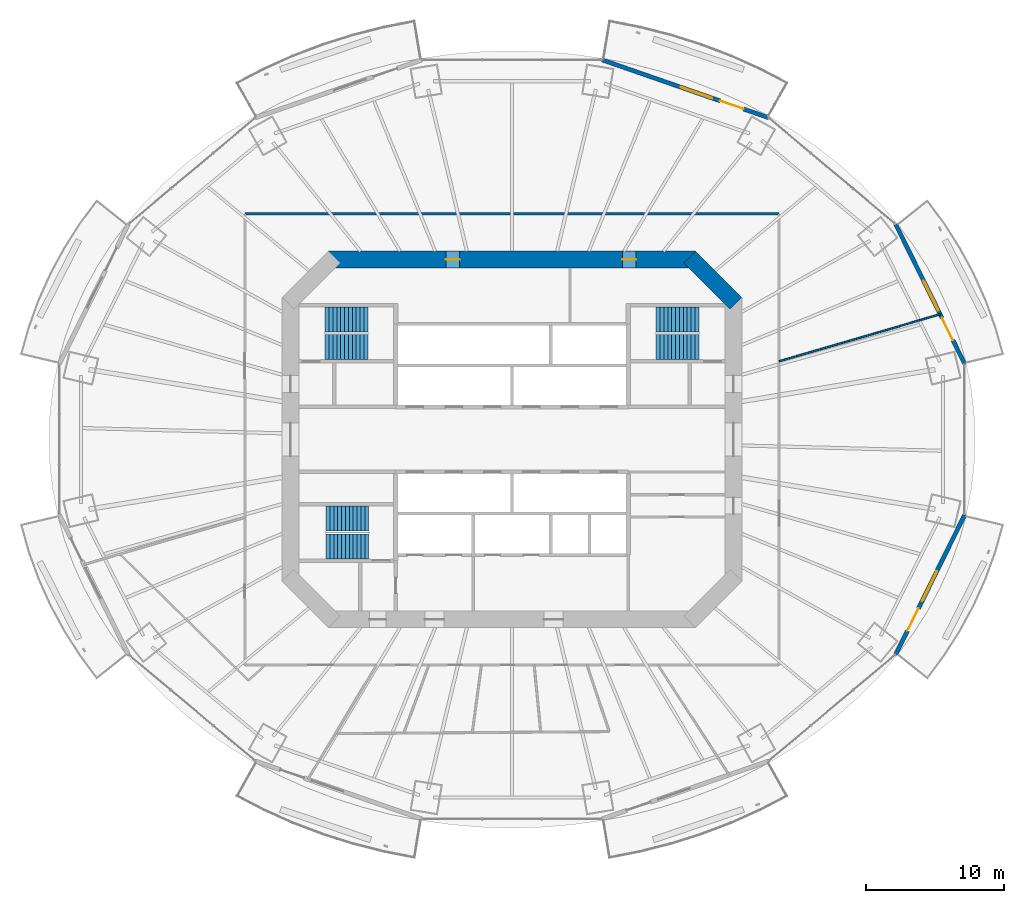
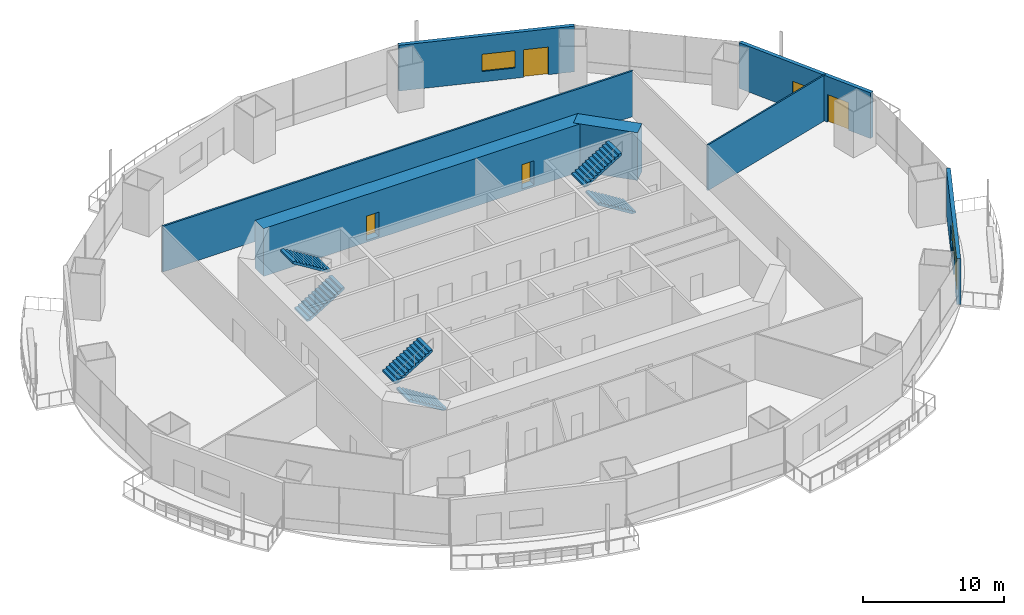
# One storey, part 15 of 20: 7 walls, 6 stair flights, 5 doors, 3 windows, 8 openings, 3 elements without a shape of their own.
"""IFC4 building model written with IfcOpenShell, lengths in metres."""

from ifc_helpers import new_model, si_unit, direction, frame, frame_2d, origin, place, context, subcontext, project, spatial, polyline, rectangle, outline, extrude, material, layer, layer_set, type_object, element, fill, aggregate, save


model = new_model("IFC4")

# Units and contexts
model_context = context("Model", 3, precision=1e-05, world=origin(), true_north=direction((0.0, 1.0)))
body_context = subcontext(model_context, "Body", "Model", "MODEL_VIEW")
ifc_project = project(units=[si_unit("LENGTHUNIT", "METRE"), si_unit("AREAUNIT", "SQUARE_METRE"), si_unit("VOLUMEUNIT", "CUBIC_METRE"), si_unit("PLANEANGLEUNIT", "RADIAN"), si_unit("MASSUNIT", "GRAM", prefix="KILO")], contexts=[model_context])

# Site, building, storey
site_placement = place(None, origin())
site = spatial("IfcSite", under=ifc_project, at=site_placement, CompositionType="ELEMENT")
building_placement = place(site_placement, origin())
building = spatial("IfcBuilding", under=site, at=building_placement, Name="Marenthal Gate Tower", CompositionType="ELEMENT")
storey_placement = place(building_placement, frame((0.0, 0.0, 136.75)))
storey = spatial("IfcBuildingStorey", under=building, at=storey_placement, Name="L29", CompositionType="ELEMENT", Elevation=136.75)

# Wall
ifc_material_1 = material(Name="Concrete 60 MPa", Category="concrete")
ifc_layer_1 = layer(ifc_material_1, 1.199951171875)
ifc_layer_set_1 = layer_set([ifc_layer_1], Name="Core shear wall 1200")
wall_type_1 = type_object("IfcWallType", Name="Core shear wall 1200", PredefinedType="SHEAR", material=ifc_layer_set_1)
wall_1_placement = place(storey_placement, frame((16.17578125, 9.82421875, -0.179931640625), z_axis=(0.0, 0.0, 1.0), x_axis=(-0.707106781187, 0.707106781187, 0.0)))
element("IfcWall", 1, at=wall_1_placement, inside=storey, type_object=wall_type_1, Name="Core wall 03", PredefinedType="SHEAR", context=body_context, shape_type="SweptSolid", body=[
    extrude(rectangle(XDim=4.73974609375, YDim=1.199951171875, at=frame_2d((2.369873046875, 0.0))), origin(), (0.0, 0.0, 1.0), 4.14990234375),
])

# Wall, openings, doors
wall_2_placement = place(storey_placement, frame((13.24853515625, 13.0, -0.179931640625), z_axis=(0.0, 0.0, 1.0), x_axis=(-1.0, 0.0, 0.0)))
wall_2 = element("IfcWall", 2, at=wall_2_placement, inside=storey, type_object=wall_type_1, Name="Core wall 04", PredefinedType="SHEAR", context=body_context, shape_type="SweptSolid", body=[
    extrude(rectangle(XDim=26.4970703125, YDim=1.199951171875, at=frame_2d((13.24853515625, 0.0))), origin(), (0.0, 0.0, 1.0), 4.14990234375),
])
opening_1_placement = place(wall_2_placement, frame((17.0244140625, 0.0, 0.179931640625)))
opening_1 = element("IfcOpeningElement", 3, at=opening_1_placement, cuts=wall_2, Name="Opening D005.01", PredefinedType="OPENING", context=body_context, shape_type="SweptSolid", body=[
    extrude(rectangle(XDim=1.0, YDim=2.10009765625, at=frame_2d((0.5, 1.050048828125))), frame((0.0, 0.60986328125, 0.0), z_axis=(0.0, -1.0, 0.0), x_axis=(1.0, 0.0, 0.0)), (0.0, 0.0, 1.0), 1.219970703125),
])
opening_2_placement = place(wall_2_placement, frame((4.2724609375, 0.0, 0.179931640625)))
opening_2 = element("IfcOpeningElement", 4, at=opening_2_placement, cuts=wall_2, Name="Opening D005.02", PredefinedType="OPENING", context=body_context, shape_type="SweptSolid", body=[
    extrude(rectangle(XDim=1.0, YDim=2.10009765625, at=frame_2d((0.5, 1.050048828125))), frame((0.0, 0.60986328125, 0.0), z_axis=(0.0, -1.0, 0.0), x_axis=(1.0, 0.0, 0.0)), (0.0, 0.0, 1.0), 1.219970703125),
])
ifc_material_2 = material(Name="Steel fire door", Category="steel")
door_type_1 = type_object("IfcDoorType", Name="Fire door FD 45 1000 x 2100", OperationType="NOTDEFINED", PredefinedType="DOOR", material=ifc_material_2)
door_1_placement = place(opening_1_placement, origin())
door_1 = element("IfcDoor", 5, at=door_1_placement, inside=storey, type_object=door_type_1, Name="Door D005.01", OperationType="SINGLE_SWING_RIGHT", OverallHeight=2.10009765625, OverallWidth=1.0, PredefinedType="DOOR", context=body_context, shape_type="SweptSolid", body=[
    extrude(rectangle(XDim=1.0, YDim=2.10009765625, at=frame_2d((0.5, 1.050048828125))), frame((0.0, 0.02490234375, 0.0), z_axis=(0.0, -1.0, 0.0), x_axis=(1.0, 0.0, 0.0)), (0.0, 0.0, 1.0), 0.050048828125),
])
fill(opening_1, door_1)
door_2_placement = place(opening_2_placement, origin())
door_2 = element("IfcDoor", 6, at=door_2_placement, inside=storey, type_object=door_type_1, Name="Door D005.02", OperationType="SINGLE_SWING_RIGHT", OverallHeight=2.10009765625, OverallWidth=1.0, PredefinedType="DOOR", context=body_context, shape_type="SweptSolid", body=[
    extrude(rectangle(XDim=1.0, YDim=2.10009765625, at=frame_2d((0.5, 1.050048828125))), frame((0.0, 0.02490234375, 0.0), z_axis=(0.0, -1.0, 0.0), x_axis=(1.0, 0.0, 0.0)), (0.0, 0.0, 1.0), 0.050048828125),
])
fill(opening_2, door_2)

# Walls
ifc_material_3 = material(Name="Gypsum board on steel studs", Category="steel")
ifc_layer_2 = layer(ifc_material_3, 0.1201171875)
ifc_layer_set_2 = layer_set([ifc_layer_2], Name="Partition 120")
wall_type_2 = type_object("IfcWallType", Name="Partition 120", PredefinedType="PARTITIONING", material=ifc_layer_set_2)
wall_3_placement = place(storey_placement, frame((19.300048828125, 5.64111328125, 0.0), z_axis=(0.0, 0.0, 1.0), x_axis=(0.959840289201, 0.280547000032, 0.0)))
element("IfcWall", 7, at=wall_3_placement, inside=storey, type_object=wall_type_2, Name="Partition wall 60", PredefinedType="PARTITIONING", context=body_context, shape_type="SweptSolid", body=[
    extrude(rectangle(XDim=12.1162109375, YDim=0.1201171875, at=frame_2d((6.05810546875, 0.0))), origin(), (0.0, 0.0, 1.0), 3.969970703125),
])
ifc_material_4 = material(Name="Gypsum board on steel studs", Category="steel")
ifc_layer_3 = layer(ifc_material_4, 0.14990234375)
ifc_layer_set_3 = layer_set([ifc_layer_3], Name="Partition 150")
wall_type_3 = type_object("IfcWallType", Name="Partition 150", PredefinedType="PARTITIONING", material=ifc_layer_set_3)
wall_4_placement = place(storey_placement, frame((-19.300048828125, 16.300048828125, 0.0), z_axis=(0.0, 0.0, 1.0), x_axis=(1.0, 0.0, 0.0)))
element("IfcWall", 8, at=wall_4_placement, inside=storey, type_object=wall_type_3, Name="Partition wall 50", PredefinedType="PARTITIONING", context=body_context, shape_type="SweptSolid", body=[
    extrude(rectangle(XDim=38.60009765625, YDim=0.14990234375, at=frame_2d((19.300048828125, 0.0))), origin(), (0.0, 0.0, 1.0), 3.969970703125),
])

# Wall, openings, door, window
ifc_material_5 = material(Name="Terracotta cladding on insulated concrete-block backing", Category="masonry")
ifc_layer_4 = layer(ifc_material_5, 0.300048828125)
ifc_layer_set_4 = layer_set([ifc_layer_4], Name="Terracotta facade wall 300")
wall_type_4 = type_object("IfcWallType", Name="Terracotta facade wall 300", PredefinedType="SOLIDWALL", material=ifc_layer_set_4)
wall_5_placement = place(storey_placement, frame((32.701416015625, 5.4541015625, 0.0), z_axis=(0.0, 0.0, 1.0), x_axis=(-0.442899302783, 0.896571362243, 0.0)))
wall_5 = element("IfcWall", 9, at=wall_5_placement, inside=storey, type_object=wall_type_4, Name="Terracotta facade wall L29 bay 1", PredefinedType="SOLIDWALL", context=body_context, shape_type="SweptSolid", body=[
    extrude(rectangle(XDim=11.24072265625, YDim=0.300048828125, at=frame_2d((5.620361328125, 0.0))), origin(), (0.0, 0.0, 1.0), 3.969970703125),
])
opening_3_placement = place(wall_5_placement, frame((1.89990234375, 0.0, 0.0)))
opening_3 = element("IfcOpeningElement", 10, at=opening_3_placement, cuts=wall_5, Name="Opening BD-L29-01", PredefinedType="OPENING", context=body_context, shape_type="SweptSolid", body=[
    extrude(rectangle(XDim=1.800048828125, YDim=2.39990234375, at=frame_2d((0.89990234375, 1.199951171875))), frame((0.0, 0.16015625, 0.0), z_axis=(0.0, -1.0, 0.0), x_axis=(1.0, 0.0, 0.0)), (0.0, 0.0, 1.0), 0.320068359375),
])
opening_4_placement = place(wall_5_placement, frame((4.300048828125, 0.0, 0.89990234375)))
opening_4 = element("IfcOpeningElement", 11, at=opening_4_placement, cuts=wall_5, Name="Opening WN1-L29-01", PredefinedType="OPENING", context=body_context, shape_type="SweptSolid", body=[
    extrude(rectangle(XDim=2.39990234375, YDim=1.5, at=frame_2d((1.199951171875, 0.75))), frame((0.0, 0.16015625, 0.0), z_axis=(0.0, -1.0, 0.0), x_axis=(1.0, 0.0, 0.0)), (0.0, 0.0, 1.0), 0.320068359375),
])
ifc_material_6 = material(Name="Aluminium and glass", Category="aluminium")
door_type_2 = type_object("IfcDoorType", Name="Balcony door 1800x2400", OperationType="DOUBLE_DOOR_SINGLE_SWING", PredefinedType="DOOR", material=ifc_material_6)
door_3_placement = place(opening_3_placement, origin())
door_3 = element("IfcDoor", 12, at=door_3_placement, inside=storey, type_object=door_type_2, Name="Balcony door L29 bay 1", OperationType="SINGLE_SWING_LEFT", OverallHeight=2.39990234375, OverallWidth=1.800048828125, PredefinedType="DOOR", context=body_context, shape_type="SweptSolid", body=[
    extrude(rectangle(XDim=1.800048828125, YDim=2.39990234375, at=frame_2d((0.89990234375, 1.199951171875))), frame((0.0, 0.02490234375, 0.0), z_axis=(0.0, -1.0, 0.0), x_axis=(1.0, 0.0, 0.0)), (0.0, 0.0, 1.0), 0.050048828125),
])
fill(opening_3, door_3)
ifc_material_7 = material(Name="Aluminium and glass", Category="aluminium")
window_type = type_object("IfcWindowType", Name="Window 2400x1500", PartitioningType="TRIPLE_PANEL_VERTICAL", PredefinedType="WINDOW", material=ifc_material_7)
window_1_placement = place(opening_4_placement, origin())
window_1 = element("IfcWindow", 13, at=window_1_placement, inside=storey, type_object=window_type, Name="Window L29 bay 1", OverallHeight=1.5, OverallWidth=2.39990234375, PartitioningType="SINGLE_PANEL", PredefinedType="WINDOW", context=body_context, shape_type="SweptSolid", body=[
    extrude(rectangle(XDim=2.39990234375, YDim=1.5, at=frame_2d((1.199951171875, 0.75))), frame((0.0, 0.030029296875, 0.0), z_axis=(0.0, -1.0, 0.0), x_axis=(1.0, 0.0, 0.0)), (0.0, 0.0, 1.0), 0.06005859375),
])
fill(opening_4, window_1)

wall_6_placement = place(storey_placement, frame((18.523681640625, 23.245361328125, 0.0), z_axis=(0.0, 0.0, 1.0), x_axis=(-0.944642444618, 0.328101587661, 0.0)))
wall_6 = element("IfcWall", 14, at=wall_6_placement, inside=storey, type_object=wall_type_4, Name="Terracotta facade wall L29 bay 3", PredefinedType="SOLIDWALL", context=body_context, shape_type="SweptSolid", body=[
    extrude(rectangle(XDim=12.723388671875, YDim=0.300048828125, at=frame_2d((6.36181640625, 0.0))), origin(), (0.0, 0.0, 1.0), 3.969970703125),
])
opening_5_placement = place(wall_6_placement, frame((1.89990234375, 0.0, 0.0)))
opening_5 = element("IfcOpeningElement", 15, at=opening_5_placement, cuts=wall_6, Name="Opening BD-L29-03", PredefinedType="OPENING", context=body_context, shape_type="SweptSolid", body=[
    extrude(rectangle(XDim=1.800048828125, YDim=2.39990234375, at=frame_2d((0.89990234375, 1.199951171875))), frame((0.0, 0.16015625, 0.0), z_axis=(0.0, -1.0, 0.0), x_axis=(1.0, 0.0, 0.0)), (0.0, 0.0, 1.0), 0.320068359375),
])
opening_6_placement = place(wall_6_placement, frame((4.300048828125, 0.0, 0.89990234375)))
opening_6 = element("IfcOpeningElement", 16, at=opening_6_placement, cuts=wall_6, Name="Opening WN1-L29-03", PredefinedType="OPENING", context=body_context, shape_type="SweptSolid", body=[
    extrude(rectangle(XDim=2.39990234375, YDim=1.5, at=frame_2d((1.199951171875, 0.75))), frame((0.0, 0.16015625, 0.0), z_axis=(0.0, -1.0, 0.0), x_axis=(1.0, 0.0, 0.0)), (0.0, 0.0, 1.0), 0.320068359375),
])
door_4_placement = place(opening_5_placement, origin())
door_4 = element("IfcDoor", 17, at=door_4_placement, inside=storey, type_object=door_type_2, Name="Balcony door L29 bay 3", OperationType="SINGLE_SWING_LEFT", OverallHeight=2.39990234375, OverallWidth=1.800048828125, PredefinedType="DOOR", context=body_context, shape_type="SweptSolid", body=[
    extrude(rectangle(XDim=1.800048828125, YDim=2.39990234375, at=frame_2d((0.89990234375, 1.199951171875))), frame((0.0, 0.02490234375, 0.0), z_axis=(0.0, -1.0, 0.0), x_axis=(1.0, 0.0, 0.0)), (0.0, 0.0, 1.0), 0.050048828125),
])
fill(opening_5, door_4)
window_2_placement = place(opening_6_placement, origin())
window_2 = element("IfcWindow", 18, at=window_2_placement, inside=storey, type_object=window_type, Name="Window L29 bay 3", OverallHeight=1.5, OverallWidth=2.39990234375, PartitioningType="SINGLE_PANEL", PredefinedType="WINDOW", context=body_context, shape_type="SweptSolid", body=[
    extrude(rectangle(XDim=2.39990234375, YDim=1.5, at=frame_2d((1.199951171875, 0.75))), frame((0.0, 0.030029296875, 0.0), z_axis=(0.0, -1.0, 0.0), x_axis=(1.0, 0.0, 0.0)), (0.0, 0.0, 1.0), 0.06005859375),
])
fill(opening_6, window_2)

wall_7_placement = place(storey_placement, frame((27.722900390625, -15.531982421875, 0.0), z_axis=(0.0, 0.0, 1.0), x_axis=(0.442907927452, 0.896567101672, 0.0)))
wall_7 = element("IfcWall", 19, at=wall_7_placement, inside=storey, type_object=wall_type_4, Name="Terracotta facade wall L29 bay 15", PredefinedType="SOLIDWALL", context=body_context, shape_type="SweptSolid", body=[
    extrude(rectangle(XDim=11.240478515625, YDim=0.300048828125, at=frame_2d((5.6201171875, 0.0))), origin(), (0.0, 0.0, 1.0), 3.969970703125),
])
opening_7_placement = place(wall_7_placement, frame((1.89990234375, 0.0, 0.0)))
opening_7 = element("IfcOpeningElement", 20, at=opening_7_placement, cuts=wall_7, Name="Opening BD-L29-15", PredefinedType="OPENING", context=body_context, shape_type="SweptSolid", body=[
    extrude(rectangle(XDim=1.800048828125, YDim=2.39990234375, at=frame_2d((0.89990234375, 1.199951171875))), frame((0.0, 0.16015625, 0.0), z_axis=(0.0, -1.0, 0.0), x_axis=(1.0, 0.0, 0.0)), (0.0, 0.0, 1.0), 0.320068359375),
])
opening_8_placement = place(wall_7_placement, frame((4.300048828125, 0.0, 0.89990234375)))
opening_8 = element("IfcOpeningElement", 21, at=opening_8_placement, cuts=wall_7, Name="Opening WN1-L29-15", PredefinedType="OPENING", context=body_context, shape_type="SweptSolid", body=[
    extrude(rectangle(XDim=2.39990234375, YDim=1.5, at=frame_2d((1.199951171875, 0.75))), frame((0.0, 0.16015625, 0.0), z_axis=(0.0, -1.0, 0.0), x_axis=(1.0, 0.0, 0.0)), (0.0, 0.0, 1.0), 0.320068359375),
])
door_5_placement = place(opening_7_placement, origin())
door_5 = element("IfcDoor", 22, at=door_5_placement, inside=storey, type_object=door_type_2, Name="Balcony door L29 bay 15", OperationType="SINGLE_SWING_LEFT", OverallHeight=2.39990234375, OverallWidth=1.800048828125, PredefinedType="DOOR", context=body_context, shape_type="SweptSolid", body=[
    extrude(rectangle(XDim=1.800048828125, YDim=2.39990234375, at=frame_2d((0.89990234375, 1.199951171875))), frame((0.0, 0.02490234375, 0.0), z_axis=(0.0, -1.0, 0.0), x_axis=(1.0, 0.0, 0.0)), (0.0, 0.0, 1.0), 0.050048828125),
])
fill(opening_7, door_5)
window_3_placement = place(opening_8_placement, origin())
window_3 = element("IfcWindow", 23, at=window_3_placement, inside=storey, type_object=window_type, Name="Window L29 bay 15", OverallHeight=1.5, OverallWidth=2.39990234375, PartitioningType="SINGLE_PANEL", PredefinedType="WINDOW", context=body_context, shape_type="SweptSolid", body=[
    extrude(rectangle(XDim=2.39990234375, YDim=1.5, at=frame_2d((1.199951171875, 0.75))), frame((0.0, 0.030029296875, 0.0), z_axis=(0.0, -1.0, 0.0), x_axis=(1.0, 0.0, 0.0)), (0.0, 0.0, 1.0), 0.06005859375),
])
fill(opening_8, window_3)

# Stair, stair flights
ifc_material_8 = material(Name="Concrete 40 MPa", Category="concrete")
stair_type = type_object("IfcStairType", Name="Exit stair 1800", PredefinedType="HALF_TURN_STAIR", material=ifc_material_8)
stair_1_placement = place(storey_placement, origin())
stair_1 = element("IfcStair", 24, at=stair_1_placement, inside=storey, type_object=stair_type, Name="Stair ST1", PredefinedType="HALF_TURN_STAIR")
ifc_material_9 = material(Name="Concrete 40 MPa", Category="concrete")
stair_flight_type = type_object("IfcStairFlightType", Name="Stair flight 1800", PredefinedType="STRAIGHT", material=ifc_material_9)
stair_flight_1_placement = place(storey_placement, frame((-13.5, 6.675048828125, 0.0), z_axis=(0.0, 0.0, 1.0), x_axis=(1.0, 0.0, 0.0)))
stair_flight_1 = element("IfcStairFlight", 25, at=stair_flight_1_placement, type_object=stair_flight_type, Name="ST1 flight 1", NumberOfRisers=12, NumberOfTreads=11, PredefinedType="STRAIGHT", RiserHeight=0.172916667, TreadLength=0.28, context=body_context, shape_type="SweptSolid", body=[
    extrude(outline(polyline([(0.0, 0.0), (0.0, 0.1728515625), (0.280029296875, 0.1728515625), (0.280029296875, 0.345947265625), (0.56005859375, 0.345947265625), (0.56005859375, 0.518798828125), (0.840087890625, 0.518798828125), (0.840087890625, 0.691650390625), (1.1201171875, 0.691650390625), (1.1201171875, 0.864501953125), (1.39990234375, 0.864501953125), (1.39990234375, 1.03759765625), (1.679931640625, 1.03759765625), (1.679931640625, 1.21044921875), (1.9599609375, 1.21044921875), (1.9599609375, 1.38330078125), (2.239990234375, 1.38330078125), (2.239990234375, 1.55615234375), (2.52001953125, 1.55615234375), (2.52001953125, 1.729248046875), (2.800048828125, 1.729248046875), (2.800048828125, 1.902099609375), (3.080078125, 1.902099609375), (3.080078125, 2.074951171875), (3.080078125, 1.725830078125), (0.285400390625, 0.0), (0.0, 0.0)])), frame((0.0, 0.89990234375, 0.0), z_axis=(0.0, -1.0, 0.0), x_axis=(1.0, 0.0, 0.0)), (0.0, 0.0, 1.0), 1.800048828125),
])
stair_flight_2_placement = place(storey_placement, frame((-10.419921875, 8.675048828125, 2.074951171875), z_axis=(0.0, 0.0, 1.0), x_axis=(-1.0, 0.0, 0.0)))
stair_flight_2 = element("IfcStairFlight", 26, at=stair_flight_2_placement, type_object=stair_flight_type, Name="ST1 flight 2", NumberOfRisers=12, NumberOfTreads=11, PredefinedType="STRAIGHT", RiserHeight=0.172916667, TreadLength=0.28, context=body_context, shape_type="SweptSolid", body=[
    extrude(outline(polyline([(0.0, 0.0), (0.0, 0.1728515625), (0.280029296875, 0.1728515625), (0.280029296875, 0.345947265625), (0.56005859375, 0.345947265625), (0.56005859375, 0.518798828125), (0.840087890625, 0.518798828125), (0.840087890625, 0.691650390625), (1.1201171875, 0.691650390625), (1.1201171875, 0.864501953125), (1.39990234375, 0.864501953125), (1.39990234375, 1.03759765625), (1.679931640625, 1.03759765625), (1.679931640625, 1.21044921875), (1.9599609375, 1.21044921875), (1.9599609375, 1.38330078125), (2.239990234375, 1.38330078125), (2.239990234375, 1.55615234375), (2.52001953125, 1.55615234375), (2.52001953125, 1.729248046875), (2.800048828125, 1.729248046875), (2.800048828125, 1.902099609375), (3.080078125, 1.902099609375), (3.080078125, 2.074951171875), (3.080078125, 1.725830078125), (0.285400390625, 0.0), (0.0, 0.0)])), frame((0.0, 0.89990234375, 0.0), z_axis=(0.0, -1.0, 0.0), x_axis=(1.0, 0.0, 0.0)), (0.0, 0.0, 1.0), 1.800048828125),
])
aggregate(stair_1, [stair_flight_1, stair_flight_2])

stair_2_placement = place(storey_placement, origin())
stair_2 = element("IfcStair", 27, at=stair_2_placement, inside=storey, type_object=stair_type, Name="Stair ST2", PredefinedType="HALF_TURN_STAIR")
stair_flight_3_placement = place(storey_placement, frame((-10.35009765625, -7.72509765625, 0.0), z_axis=(0.0, 0.0, 1.0), x_axis=(-1.0, 0.0, 0.0)))
stair_flight_3 = element("IfcStairFlight", 28, at=stair_flight_3_placement, type_object=stair_flight_type, Name="ST2 flight 1", NumberOfRisers=12, NumberOfTreads=11, PredefinedType="STRAIGHT", RiserHeight=0.172916667, TreadLength=0.28, context=body_context, shape_type="SweptSolid", body=[
    extrude(outline(polyline([(0.0, 0.0), (0.0, 0.1728515625), (0.280029296875, 0.1728515625), (0.280029296875, 0.345947265625), (0.56005859375, 0.345947265625), (0.56005859375, 0.518798828125), (0.840087890625, 0.518798828125), (0.840087890625, 0.691650390625), (1.1201171875, 0.691650390625), (1.1201171875, 0.864501953125), (1.39990234375, 0.864501953125), (1.39990234375, 1.03759765625), (1.679931640625, 1.03759765625), (1.679931640625, 1.21044921875), (1.9599609375, 1.21044921875), (1.9599609375, 1.38330078125), (2.239990234375, 1.38330078125), (2.239990234375, 1.55615234375), (2.52001953125, 1.55615234375), (2.52001953125, 1.729248046875), (2.800048828125, 1.729248046875), (2.800048828125, 1.902099609375), (3.080078125, 1.902099609375), (3.080078125, 2.074951171875), (3.080078125, 1.725830078125), (0.285400390625, 0.0), (0.0, 0.0)])), frame((0.0, 0.89990234375, 0.0), z_axis=(0.0, -1.0, 0.0), x_axis=(1.0, 0.0, 0.0)), (0.0, 0.0, 1.0), 1.800048828125),
])
stair_flight_4_placement = place(storey_placement, frame((-13.429931640625, -5.72509765625, 2.074951171875), z_axis=(0.0, 0.0, 1.0), x_axis=(1.0, 0.0, 0.0)))
stair_flight_4 = element("IfcStairFlight", 29, at=stair_flight_4_placement, type_object=stair_flight_type, Name="ST2 flight 2", NumberOfRisers=12, NumberOfTreads=11, PredefinedType="STRAIGHT", RiserHeight=0.172916667, TreadLength=0.28, context=body_context, shape_type="SweptSolid", body=[
    extrude(outline(polyline([(0.0, 0.0), (0.0, 0.1728515625), (0.280029296875, 0.1728515625), (0.280029296875, 0.345947265625), (0.56005859375, 0.345947265625), (0.56005859375, 0.518798828125), (0.840087890625, 0.518798828125), (0.840087890625, 0.691650390625), (1.1201171875, 0.691650390625), (1.1201171875, 0.864501953125), (1.39990234375, 0.864501953125), (1.39990234375, 1.03759765625), (1.679931640625, 1.03759765625), (1.679931640625, 1.21044921875), (1.9599609375, 1.21044921875), (1.9599609375, 1.38330078125), (2.239990234375, 1.38330078125), (2.239990234375, 1.55615234375), (2.52001953125, 1.55615234375), (2.52001953125, 1.729248046875), (2.800048828125, 1.729248046875), (2.800048828125, 1.902099609375), (3.080078125, 1.902099609375), (3.080078125, 2.074951171875), (3.080078125, 1.725830078125), (0.285400390625, 0.0), (0.0, 0.0)])), frame((0.0, 0.89990234375, 0.0), z_axis=(0.0, -1.0, 0.0), x_axis=(1.0, 0.0, 0.0)), (0.0, 0.0, 1.0), 1.800048828125),
])
aggregate(stair_2, [stair_flight_3, stair_flight_4])

stair_3_placement = place(storey_placement, origin())
stair_3 = element("IfcStair", 30, at=stair_3_placement, inside=storey, type_object=stair_type, Name="Stair ST3", PredefinedType="HALF_TURN_STAIR")
stair_flight_5_placement = place(storey_placement, frame((13.5, 6.675048828125, 0.0), z_axis=(0.0, 0.0, 1.0), x_axis=(-1.0, 0.0, 0.0)))
stair_flight_5 = element("IfcStairFlight", 31, at=stair_flight_5_placement, type_object=stair_flight_type, Name="ST3 flight 1", NumberOfRisers=12, NumberOfTreads=11, PredefinedType="STRAIGHT", RiserHeight=0.172916667, TreadLength=0.28, context=body_context, shape_type="SweptSolid", body=[
    extrude(outline(polyline([(0.0, 0.0), (0.0, 0.1728515625), (0.280029296875, 0.1728515625), (0.280029296875, 0.345947265625), (0.56005859375, 0.345947265625), (0.56005859375, 0.518798828125), (0.840087890625, 0.518798828125), (0.840087890625, 0.691650390625), (1.1201171875, 0.691650390625), (1.1201171875, 0.864501953125), (1.39990234375, 0.864501953125), (1.39990234375, 1.03759765625), (1.679931640625, 1.03759765625), (1.679931640625, 1.21044921875), (1.9599609375, 1.21044921875), (1.9599609375, 1.38330078125), (2.239990234375, 1.38330078125), (2.239990234375, 1.55615234375), (2.52001953125, 1.55615234375), (2.52001953125, 1.729248046875), (2.800048828125, 1.729248046875), (2.800048828125, 1.902099609375), (3.080078125, 1.902099609375), (3.080078125, 2.074951171875), (3.080078125, 1.725830078125), (0.285400390625, 0.0), (0.0, 0.0)])), frame((0.0, 0.89990234375, 0.0), z_axis=(0.0, -1.0, 0.0), x_axis=(1.0, 0.0, 0.0)), (0.0, 0.0, 1.0), 1.800048828125),
])
stair_flight_6_placement = place(storey_placement, frame((10.419921875, 8.675048828125, 2.074951171875), z_axis=(0.0, 0.0, 1.0), x_axis=(1.0, 0.0, 0.0)))
stair_flight_6 = element("IfcStairFlight", 32, at=stair_flight_6_placement, type_object=stair_flight_type, Name="ST3 flight 2", NumberOfRisers=12, NumberOfTreads=11, PredefinedType="STRAIGHT", RiserHeight=0.172916667, TreadLength=0.28, context=body_context, shape_type="SweptSolid", body=[
    extrude(outline(polyline([(0.0, 0.0), (0.0, 0.1728515625), (0.280029296875, 0.1728515625), (0.280029296875, 0.345947265625), (0.56005859375, 0.345947265625), (0.56005859375, 0.518798828125), (0.840087890625, 0.518798828125), (0.840087890625, 0.691650390625), (1.1201171875, 0.691650390625), (1.1201171875, 0.864501953125), (1.39990234375, 0.864501953125), (1.39990234375, 1.03759765625), (1.679931640625, 1.03759765625), (1.679931640625, 1.21044921875), (1.9599609375, 1.21044921875), (1.9599609375, 1.38330078125), (2.239990234375, 1.38330078125), (2.239990234375, 1.55615234375), (2.52001953125, 1.55615234375), (2.52001953125, 1.729248046875), (2.800048828125, 1.729248046875), (2.800048828125, 1.902099609375), (3.080078125, 1.902099609375), (3.080078125, 2.074951171875), (3.080078125, 1.725830078125), (0.285400390625, 0.0), (0.0, 0.0)])), frame((0.0, 0.89990234375, 0.0), z_axis=(0.0, -1.0, 0.0), x_axis=(1.0, 0.0, 0.0)), (0.0, 0.0, 1.0), 1.800048828125),
])
aggregate(stair_3, [stair_flight_5, stair_flight_6])

save(model, "model.ifc")
